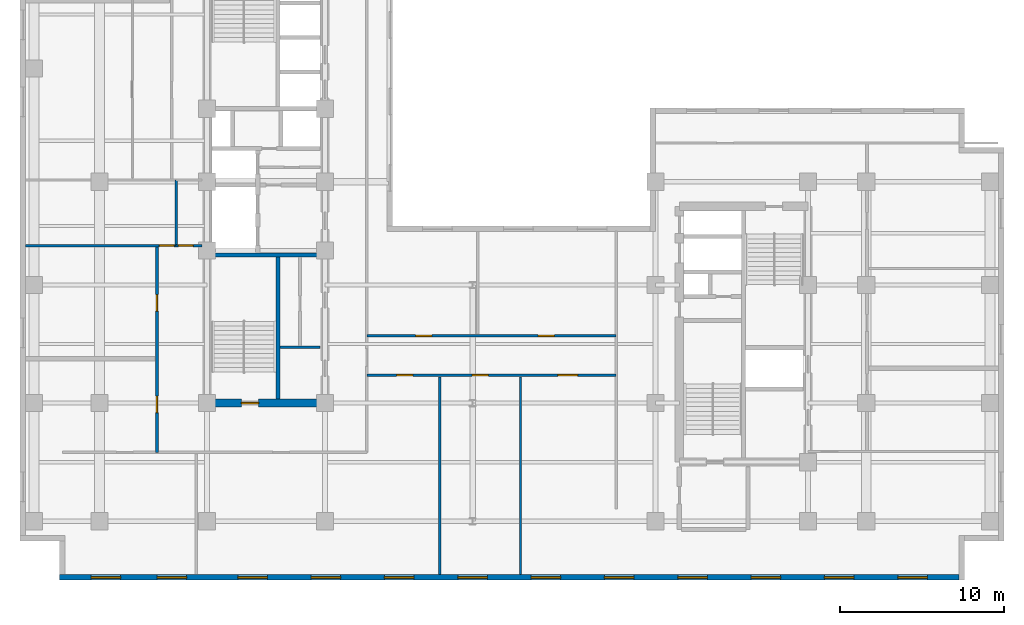
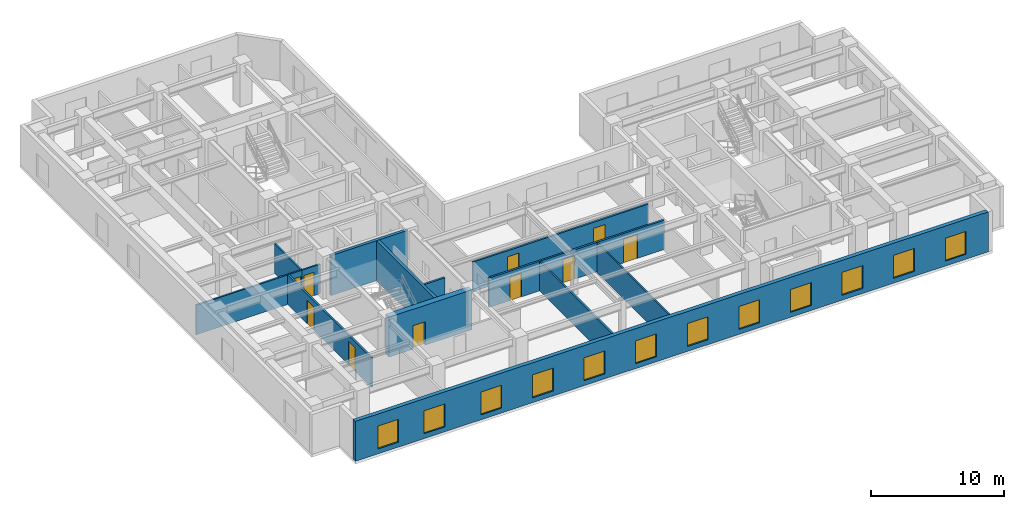
# One storey, part 3 of 10: 13 walls, 12 windows, 10 doors, 22 openings.
"""IFC4 building model written with IfcOpenShell, lengths in metres."""

from ifc_helpers import new_model, entity, si_unit, converted_unit, direction, frame, origin_with_axes, origin_2d_with_axis, place, context, subcontext, project, spatial, polyline, rectangle, outline, extrude, material, layer, layer_set, type_object, element, fill, save


model = new_model("IFC4")

# Units and contexts
model_context = context("Model", 3, precision=1e-05, world=origin_with_axes(), true_north=direction((0.0, 1.0)))
body_context = subcontext(model_context, "Body", "Model", "MODEL_VIEW")
ifc_project = project(units=[si_unit("LENGTHUNIT", "METRE"), si_unit("AREAUNIT", "SQUARE_METRE"), si_unit("VOLUMEUNIT", "CUBIC_METRE"), converted_unit("PLANEANGLEUNIT", "DEGREE", entity("IfcPlaneAngleMeasure", 0.017453292519943295), si_unit("PLANEANGLEUNIT", "RADIAN"), dimensions=[0, 0, 0, 0, 0, 0, 0]), si_unit("MASSUNIT", "GRAM", prefix="KILO"), si_unit("THERMODYNAMICTEMPERATUREUNIT", "KELVIN")], contexts=[model_context])

# Site, building, storey
site_placement = place(None, origin_with_axes())
site = spatial("IfcSite", under=ifc_project, at=site_placement, CompositionType="ELEMENT")
building_placement = place(site_placement, origin_with_axes())
building = spatial("IfcBuilding", under=site, at=building_placement, Name="Varnlund Millrace Tower", CompositionType="ELEMENT")
storey_placement = place(building_placement, frame((0.0, 0.0, 152.4), z_axis=(0.0, 0.0, 1.0), x_axis=(1.0, 0.0, 0.0)))
storey = spatial("IfcBuildingStorey", under=building, at=storey_placement, Name="L37", CompositionType="ELEMENT", Elevation=152.4)

# Wall, opening, door
ifc_material_1 = material(Name="Concrete C70/85", Category="concrete")
ifc_layer_1 = layer(ifc_material_1, 0.5, Name="Concrete C70/85")
ifc_layer_set_1 = layer_set([ifc_layer_1], Name="Concrete C70/85")
wall_type_1 = type_object("IfcWallType", Name="Type-CoreWall-Shear-500-C70", PredefinedType="SHEAR", material=ifc_layer_set_1)
wall_1_placement = place(storey_placement, frame((11.4, 10.8, 0.0), z_axis=(0.0, 0.0, 1.0), x_axis=(1.0, 0.0, 0.0)))
wall_1 = element("IfcWall", 1, at=wall_1_placement, inside=storey, type_object=wall_type_1, Name="Type-CoreWall-Shear-500-C70", PredefinedType="SHEAR", context=body_context, shape_type="SweptSolid", body=[
    extrude(outline(polyline([(0.0, -0.25), (7.2, -0.25), (7.2, 0.25), (0.0, 0.25), (0.0, -0.25)])), origin_with_axes(), (0.0, 0.0, 1.0), 3.66),
])
opening_1_placement = place(wall_1_placement, frame((2.625, 0.0, 0.0), z_axis=(0.0, 0.0, 1.0), x_axis=(1.0, 0.0, 0.0)))
opening_1 = element("IfcOpeningElement", 2, at=opening_1_placement, cuts=wall_1, Name="Opening L37:DR-STA1", PredefinedType="OPENING", context=body_context, shape_type="SweptSolid", body=[
    extrude(rectangle(XDim=1.05, YDim=0.52, at=origin_2d_with_axis()), origin_with_axes(), (0.0, 0.0, 1.0), 2.15),
])
ifc_material_2 = material(Name="Fire-rated hollow steel door", Category="steel")
door_type_1 = type_object("IfcDoorType", Name="Type-FireDoor-Stair-1050X2150", OperationType="NOTDEFINED", PredefinedType="DOOR", material=ifc_material_2)
door_1_placement = place(wall_1_placement, frame((2.625, 0.0, 0.0), z_axis=(0.0, 0.0, 1.0), x_axis=(1.0, 0.0, 0.0)))
door_1 = element("IfcDoor", 3, at=door_1_placement, inside=storey, type_object=door_type_1, Name="Type-FireDoor-Stair-1050X2150", OperationType="SINGLE_SWING_LEFT", OverallHeight=2.15, OverallWidth=1.05, PredefinedType="DOOR", context=body_context, shape_type="SweptSolid", body=[
    extrude(rectangle(XDim=1.05, YDim=0.09, at=origin_2d_with_axis()), origin_with_axes(), (0.0, 0.0, 1.0), 2.15),
])
fill(opening_1, door_1)

# Wall, openings, windows
ifc_material_3 = material(Name="Precast concrete C50/60", Category="concrete")
ifc_layer_2 = layer(ifc_material_3, 0.34, Name="Precast concrete C50/60")
ifc_layer_set_2 = layer_set([ifc_layer_2], Name="Precast concrete C50/60")
wall_type_2 = type_object("IfcWallType", Name="Type-ExtWall-Precast-Upper-340", PredefinedType="SOLIDWALL", material=ifc_layer_set_2)
wall_2_placement = place(storey_placement, frame((57.26, 0.17, 0.0), z_axis=(0.0, 0.0, 1.0), x_axis=(-1.0, 0.0, 0.0)))
wall_2 = element("IfcWall", 4, at=wall_2_placement, inside=storey, type_object=wall_type_2, Name="Type-ExtWall-Precast-Upper-340", PredefinedType="SOLIDWALL", context=body_context, shape_type="SweptSolid", body=[
    extrude(outline(polyline([(0.0, -0.17), (54.86, -0.17), (54.86, 0.17), (0.0, 0.17), (0.0, -0.17)])), origin_with_axes(), (0.0, 0.0, 1.0), 3.66),
])
opening_2_placement = place(wall_2_placement, frame((2.836, 0.0, 0.45), z_axis=(0.0, 0.0, 1.0), x_axis=(1.0, 0.0, 0.0)))
opening_2 = element("IfcOpeningElement", 5, at=opening_2_placement, cuts=wall_2, Name="Opening L37:WN-08", PredefinedType="OPENING", context=body_context, shape_type="SweptSolid", body=[
    extrude(rectangle(XDim=1.8, YDim=0.36, at=origin_2d_with_axis()), origin_with_axes(), (0.0, 0.0, 1.0), 2.1),
])
opening_3_placement = place(wall_2_placement, frame((7.307, 0.0, 0.45), z_axis=(0.0, 0.0, 1.0), x_axis=(1.0, 0.0, 0.0)))
opening_3 = element("IfcOpeningElement", 6, at=opening_3_placement, cuts=wall_2, Name="Opening L37:WN-09", PredefinedType="OPENING", context=body_context, shape_type="SweptSolid", body=[
    extrude(rectangle(XDim=1.8, YDim=0.36, at=origin_2d_with_axis()), origin_with_axes(), (0.0, 0.0, 1.0), 2.1),
])
opening_4_placement = place(wall_2_placement, frame((11.779, 0.0, 0.45), z_axis=(0.0, 0.0, 1.0), x_axis=(1.0, 0.0, 0.0)))
opening_4 = element("IfcOpeningElement", 7, at=opening_4_placement, cuts=wall_2, Name="Opening L37:WN-10", PredefinedType="OPENING", context=body_context, shape_type="SweptSolid", body=[
    extrude(rectangle(XDim=1.8, YDim=0.36, at=origin_2d_with_axis()), origin_with_axes(), (0.0, 0.0, 1.0), 2.1),
])
opening_5_placement = place(wall_2_placement, frame((16.251, 0.0, 0.45), z_axis=(0.0, 0.0, 1.0), x_axis=(1.0, 0.0, 0.0)))
opening_5 = element("IfcOpeningElement", 8, at=opening_5_placement, cuts=wall_2, Name="Opening L37:WN-11", PredefinedType="OPENING", context=body_context, shape_type="SweptSolid", body=[
    extrude(rectangle(XDim=1.8, YDim=0.36, at=origin_2d_with_axis()), origin_with_axes(), (0.0, 0.0, 1.0), 2.1),
])
opening_6_placement = place(wall_2_placement, frame((20.723, 0.0, 0.45), z_axis=(0.0, 0.0, 1.0), x_axis=(1.0, 0.0, 0.0)))
opening_6 = element("IfcOpeningElement", 9, at=opening_6_placement, cuts=wall_2, Name="Opening L37:WN-12", PredefinedType="OPENING", context=body_context, shape_type="SweptSolid", body=[
    extrude(rectangle(XDim=1.8, YDim=0.36, at=origin_2d_with_axis()), origin_with_axes(), (0.0, 0.0, 1.0), 2.1),
])
opening_7_placement = place(wall_2_placement, frame((25.194, 0.0, 0.45), z_axis=(0.0, 0.0, 1.0), x_axis=(1.0, 0.0, 0.0)))
opening_7 = element("IfcOpeningElement", 10, at=opening_7_placement, cuts=wall_2, Name="Opening L37:WN-13", PredefinedType="OPENING", context=body_context, shape_type="SweptSolid", body=[
    extrude(rectangle(XDim=1.8, YDim=0.36, at=origin_2d_with_axis()), origin_with_axes(), (0.0, 0.0, 1.0), 2.1),
])
opening_8_placement = place(wall_2_placement, frame((29.666, 0.0, 0.45), z_axis=(0.0, 0.0, 1.0), x_axis=(1.0, 0.0, 0.0)))
opening_8 = element("IfcOpeningElement", 11, at=opening_8_placement, cuts=wall_2, Name="Opening L37:WN-14", PredefinedType="OPENING", context=body_context, shape_type="SweptSolid", body=[
    extrude(rectangle(XDim=1.8, YDim=0.36, at=origin_2d_with_axis()), origin_with_axes(), (0.0, 0.0, 1.0), 2.1),
])
opening_9_placement = place(wall_2_placement, frame((34.138, 0.0, 0.45), z_axis=(0.0, 0.0, 1.0), x_axis=(1.0, 0.0, 0.0)))
opening_9 = element("IfcOpeningElement", 12, at=opening_9_placement, cuts=wall_2, Name="Opening L37:WN-15", PredefinedType="OPENING", context=body_context, shape_type="SweptSolid", body=[
    extrude(rectangle(XDim=1.8, YDim=0.36, at=origin_2d_with_axis()), origin_with_axes(), (0.0, 0.0, 1.0), 2.1),
])
opening_10_placement = place(wall_2_placement, frame((38.609, 0.0, 0.45), z_axis=(0.0, 0.0, 1.0), x_axis=(1.0, 0.0, 0.0)))
opening_10 = element("IfcOpeningElement", 13, at=opening_10_placement, cuts=wall_2, Name="Opening L37:WN-16", PredefinedType="OPENING", context=body_context, shape_type="SweptSolid", body=[
    extrude(rectangle(XDim=1.8, YDim=0.36, at=origin_2d_with_axis()), origin_with_axes(), (0.0, 0.0, 1.0), 2.1),
])
opening_11_placement = place(wall_2_placement, frame((43.081, 0.0, 0.45), z_axis=(0.0, 0.0, 1.0), x_axis=(1.0, 0.0, 0.0)))
opening_11 = element("IfcOpeningElement", 14, at=opening_11_placement, cuts=wall_2, Name="Opening L37:WN-17", PredefinedType="OPENING", context=body_context, shape_type="SweptSolid", body=[
    extrude(rectangle(XDim=1.8, YDim=0.36, at=origin_2d_with_axis()), origin_with_axes(), (0.0, 0.0, 1.0), 2.1),
])
opening_12_placement = place(wall_2_placement, frame((48.003, 0.0, 0.45), z_axis=(0.0, 0.0, 1.0), x_axis=(1.0, 0.0, 0.0)))
opening_12 = element("IfcOpeningElement", 15, at=opening_12_placement, cuts=wall_2, Name="Opening L37:WN-18", PredefinedType="OPENING", context=body_context, shape_type="SweptSolid", body=[
    extrude(rectangle(XDim=1.8, YDim=0.36, at=origin_2d_with_axis()), origin_with_axes(), (0.0, 0.0, 1.0), 2.1),
])
opening_13_placement = place(wall_2_placement, frame((52.024, 0.0, 0.45), z_axis=(0.0, 0.0, 1.0), x_axis=(1.0, 0.0, 0.0)))
opening_13 = element("IfcOpeningElement", 16, at=opening_13_placement, cuts=wall_2, Name="Opening L37:WN-19", PredefinedType="OPENING", context=body_context, shape_type="SweptSolid", body=[
    extrude(rectangle(XDim=1.8, YDim=0.36, at=origin_2d_with_axis()), origin_with_axes(), (0.0, 0.0, 1.0), 2.1),
])
ifc_material_4 = material(Name="Argon low-e triple glazing in thermally broken bronze frame", Category="glass")
window_type = type_object("IfcWindowType", Name="Type-Window-Punched-1800X2100", PartitioningType="SINGLE_PANEL", PredefinedType="WINDOW", material=ifc_material_4)
window_1_placement = place(wall_2_placement, frame((2.836, 0.0, 0.45), z_axis=(0.0, 0.0, 1.0), x_axis=(1.0, 0.0, 0.0)))
window_1 = element("IfcWindow", 17, at=window_1_placement, inside=storey, type_object=window_type, Name="Type-Window-Punched-1800X2100", OverallHeight=2.1, OverallWidth=1.8, PredefinedType="WINDOW", context=body_context, shape_type="SweptSolid", body=[
    extrude(rectangle(XDim=1.8, YDim=0.09, at=origin_2d_with_axis()), origin_with_axes(), (0.0, 0.0, 1.0), 2.1),
])
fill(opening_2, window_1)
window_2_placement = place(wall_2_placement, frame((7.307, 0.0, 0.45), z_axis=(0.0, 0.0, 1.0), x_axis=(1.0, 0.0, 0.0)))
window_2 = element("IfcWindow", 18, at=window_2_placement, inside=storey, type_object=window_type, Name="Type-Window-Punched-1800X2100", OverallHeight=2.1, OverallWidth=1.8, PredefinedType="WINDOW", context=body_context, shape_type="SweptSolid", body=[
    extrude(rectangle(XDim=1.8, YDim=0.09, at=origin_2d_with_axis()), origin_with_axes(), (0.0, 0.0, 1.0), 2.1),
])
fill(opening_3, window_2)
window_3_placement = place(wall_2_placement, frame((11.779, 0.0, 0.45), z_axis=(0.0, 0.0, 1.0), x_axis=(1.0, 0.0, 0.0)))
window_3 = element("IfcWindow", 19, at=window_3_placement, inside=storey, type_object=window_type, Name="Type-Window-Punched-1800X2100", OverallHeight=2.1, OverallWidth=1.8, PredefinedType="WINDOW", context=body_context, shape_type="SweptSolid", body=[
    extrude(rectangle(XDim=1.8, YDim=0.09, at=origin_2d_with_axis()), origin_with_axes(), (0.0, 0.0, 1.0), 2.1),
])
fill(opening_4, window_3)
window_4_placement = place(wall_2_placement, frame((16.251, 0.0, 0.45), z_axis=(0.0, 0.0, 1.0), x_axis=(1.0, 0.0, 0.0)))
window_4 = element("IfcWindow", 20, at=window_4_placement, inside=storey, type_object=window_type, Name="Type-Window-Punched-1800X2100", OverallHeight=2.1, OverallWidth=1.8, PredefinedType="WINDOW", context=body_context, shape_type="SweptSolid", body=[
    extrude(rectangle(XDim=1.8, YDim=0.09, at=origin_2d_with_axis()), origin_with_axes(), (0.0, 0.0, 1.0), 2.1),
])
fill(opening_5, window_4)
window_5_placement = place(wall_2_placement, frame((20.723, 0.0, 0.45), z_axis=(0.0, 0.0, 1.0), x_axis=(1.0, 0.0, 0.0)))
window_5 = element("IfcWindow", 21, at=window_5_placement, inside=storey, type_object=window_type, Name="Type-Window-Punched-1800X2100", OverallHeight=2.1, OverallWidth=1.8, PredefinedType="WINDOW", context=body_context, shape_type="SweptSolid", body=[
    extrude(rectangle(XDim=1.8, YDim=0.09, at=origin_2d_with_axis()), origin_with_axes(), (0.0, 0.0, 1.0), 2.1),
])
fill(opening_6, window_5)
window_6_placement = place(wall_2_placement, frame((25.194, 0.0, 0.45), z_axis=(0.0, 0.0, 1.0), x_axis=(1.0, 0.0, 0.0)))
window_6 = element("IfcWindow", 22, at=window_6_placement, inside=storey, type_object=window_type, Name="Type-Window-Punched-1800X2100", OverallHeight=2.1, OverallWidth=1.8, PredefinedType="WINDOW", context=body_context, shape_type="SweptSolid", body=[
    extrude(rectangle(XDim=1.8, YDim=0.09, at=origin_2d_with_axis()), origin_with_axes(), (0.0, 0.0, 1.0), 2.1),
])
fill(opening_7, window_6)
window_7_placement = place(wall_2_placement, frame((29.666, 0.0, 0.45), z_axis=(0.0, 0.0, 1.0), x_axis=(1.0, 0.0, 0.0)))
window_7 = element("IfcWindow", 23, at=window_7_placement, inside=storey, type_object=window_type, Name="Type-Window-Punched-1800X2100", OverallHeight=2.1, OverallWidth=1.8, PredefinedType="WINDOW", context=body_context, shape_type="SweptSolid", body=[
    extrude(rectangle(XDim=1.8, YDim=0.09, at=origin_2d_with_axis()), origin_with_axes(), (0.0, 0.0, 1.0), 2.1),
])
fill(opening_8, window_7)
window_8_placement = place(wall_2_placement, frame((34.138, 0.0, 0.45), z_axis=(0.0, 0.0, 1.0), x_axis=(1.0, 0.0, 0.0)))
window_8 = element("IfcWindow", 24, at=window_8_placement, inside=storey, type_object=window_type, Name="Type-Window-Punched-1800X2100", OverallHeight=2.1, OverallWidth=1.8, PredefinedType="WINDOW", context=body_context, shape_type="SweptSolid", body=[
    extrude(rectangle(XDim=1.8, YDim=0.09, at=origin_2d_with_axis()), origin_with_axes(), (0.0, 0.0, 1.0), 2.1),
])
fill(opening_9, window_8)
window_9_placement = place(wall_2_placement, frame((38.609, 0.0, 0.45), z_axis=(0.0, 0.0, 1.0), x_axis=(1.0, 0.0, 0.0)))
window_9 = element("IfcWindow", 25, at=window_9_placement, inside=storey, type_object=window_type, Name="Type-Window-Punched-1800X2100", OverallHeight=2.1, OverallWidth=1.8, PredefinedType="WINDOW", context=body_context, shape_type="SweptSolid", body=[
    extrude(rectangle(XDim=1.8, YDim=0.09, at=origin_2d_with_axis()), origin_with_axes(), (0.0, 0.0, 1.0), 2.1),
])
fill(opening_10, window_9)
window_10_placement = place(wall_2_placement, frame((43.081, 0.0, 0.45), z_axis=(0.0, 0.0, 1.0), x_axis=(1.0, 0.0, 0.0)))
window_10 = element("IfcWindow", 26, at=window_10_placement, inside=storey, type_object=window_type, Name="Type-Window-Punched-1800X2100", OverallHeight=2.1, OverallWidth=1.8, PredefinedType="WINDOW", context=body_context, shape_type="SweptSolid", body=[
    extrude(rectangle(XDim=1.8, YDim=0.09, at=origin_2d_with_axis()), origin_with_axes(), (0.0, 0.0, 1.0), 2.1),
])
fill(opening_11, window_10)
window_11_placement = place(wall_2_placement, frame((48.003, 0.0, 0.45), z_axis=(0.0, 0.0, 1.0), x_axis=(1.0, 0.0, 0.0)))
window_11 = element("IfcWindow", 27, at=window_11_placement, inside=storey, type_object=window_type, Name="Type-Window-Punched-1800X2100", OverallHeight=2.1, OverallWidth=1.8, PredefinedType="WINDOW", context=body_context, shape_type="SweptSolid", body=[
    extrude(rectangle(XDim=1.8, YDim=0.09, at=origin_2d_with_axis()), origin_with_axes(), (0.0, 0.0, 1.0), 2.1),
])
fill(opening_12, window_11)
window_12_placement = place(wall_2_placement, frame((52.024, 0.0, 0.45), z_axis=(0.0, 0.0, 1.0), x_axis=(1.0, 0.0, 0.0)))
window_12 = element("IfcWindow", 28, at=window_12_placement, inside=storey, type_object=window_type, Name="Type-Window-Punched-1800X2100", OverallHeight=2.1, OverallWidth=1.8, PredefinedType="WINDOW", context=body_context, shape_type="SweptSolid", body=[
    extrude(rectangle(XDim=1.8, YDim=0.09, at=origin_2d_with_axis()), origin_with_axes(), (0.0, 0.0, 1.0), 2.1),
])
fill(opening_13, window_12)

# Wall
ifc_material_5 = material(Name="Fire-rated gypsum board on cold-formed steel framing", Category="steel")
ifc_layer_3 = layer(ifc_material_5, 0.16, Name="Fire-rated gypsum board on cold-formed steel framing")
ifc_layer_set_3 = layer_set([ifc_layer_3], Name="Fire-rated gypsum board on cold-formed steel framing")
wall_type_3 = type_object("IfcWallType", Name="Type-Partition-Corridor-160", PredefinedType="PARTITIONING", material=ifc_layer_set_3)
wall_3_placement = place(storey_placement, frame((15.84, 14.2, 0.0), z_axis=(0.0, 0.0, 1.0), x_axis=(1.0, 0.0, 0.0)))
element("IfcWall", 29, at=wall_3_placement, inside=storey, type_object=wall_type_3, Name="Type-Partition-Corridor-160", PredefinedType="PARTITIONING", context=body_context, shape_type="SweptSolid", body=[
    extrude(outline(polyline([(0.0, -0.08), (2.46, -0.08), (2.46, 0.08), (0.0, 0.08), (0.0, -0.08)])), origin_with_axes(), (0.0, 0.0, 1.0), 2.7),
])

# Wall, openings, doors
wall_4_placement = place(storey_placement, frame((8.35, 7.8, 0.0), z_axis=(0.0, 0.0, 1.0), x_axis=(0.0, 1.0, 0.0)))
wall_4 = element("IfcWall", 30, at=wall_4_placement, inside=storey, type_object=wall_type_3, Name="Type-Partition-Corridor-160", PredefinedType="PARTITIONING", context=body_context, shape_type="SweptSolid", body=[
    extrude(outline(polyline([(0.0, -0.08), (12.6, -0.08), (12.6, 0.08), (0.0, 0.08), (0.0, -0.08)])), origin_with_axes(), (0.0, 0.0, 1.0), 2.7),
])
opening_14_placement = place(wall_4_placement, frame((2.92, 0.0, 0.0), z_axis=(0.0, 0.0, 1.0), x_axis=(1.0, 0.0, 0.0)))
opening_14 = element("IfcOpeningElement", 31, at=opening_14_placement, cuts=wall_4, Name="Opening L37:DR-WS-01", PredefinedType="OPENING", context=body_context, shape_type="SweptSolid", body=[
    extrude(rectangle(XDim=1.0, YDim=0.18, at=origin_2d_with_axis()), origin_with_axes(), (0.0, 0.0, 1.0), 2.15),
])
opening_15_placement = place(wall_4_placement, frame((9.115, 0.0, 0.0), z_axis=(0.0, 0.0, 1.0), x_axis=(1.0, 0.0, 0.0)))
opening_15 = element("IfcOpeningElement", 32, at=opening_15_placement, cuts=wall_4, Name="Opening L37:DR-WS-02", PredefinedType="OPENING", context=body_context, shape_type="SweptSolid", body=[
    extrude(rectangle(XDim=1.0, YDim=0.18, at=origin_2d_with_axis()), origin_with_axes(), (0.0, 0.0, 1.0), 2.15),
])
ifc_material_6 = material(Name="Solid-core white oak and bronze frame door")
door_type_2 = type_object("IfcDoorType", Name="Type-IntDoor-Office-1000X2150", OperationType="NOTDEFINED", PredefinedType="DOOR", material=ifc_material_6)
door_2_placement = place(wall_4_placement, frame((2.92, 0.0, 0.0), z_axis=(0.0, 0.0, 1.0), x_axis=(1.0, 0.0, 0.0)))
door_2 = element("IfcDoor", 33, at=door_2_placement, inside=storey, type_object=door_type_2, Name="Type-IntDoor-Office-1000X2150", OperationType="SINGLE_SWING_LEFT", OverallHeight=2.15, OverallWidth=1.0, PredefinedType="DOOR", context=body_context, shape_type="SweptSolid", body=[
    extrude(rectangle(XDim=1.0, YDim=0.09, at=origin_2d_with_axis()), origin_with_axes(), (0.0, 0.0, 1.0), 2.15),
])
fill(opening_14, door_2)
door_3_placement = place(wall_4_placement, frame((9.115, 0.0, 0.0), z_axis=(0.0, 0.0, 1.0), x_axis=(1.0, 0.0, 0.0)))
door_3 = element("IfcDoor", 34, at=door_3_placement, inside=storey, type_object=door_type_2, Name="Type-IntDoor-Office-1000X2150", OperationType="SINGLE_SWING_RIGHT", OverallHeight=2.15, OverallWidth=1.0, PredefinedType="DOOR", context=body_context, shape_type="SweptSolid", body=[
    extrude(rectangle(XDim=1.0, YDim=0.09, at=origin_2d_with_axis()), origin_with_axes(), (0.0, 0.0, 1.0), 2.15),
])
fill(opening_15, door_3)

wall_5_placement = place(storey_placement, frame((21.15, 12.5, 0.0), z_axis=(0.0, 0.0, 1.0), x_axis=(1.0, 0.0, 0.0)))
wall_5 = element("IfcWall", 35, at=wall_5_placement, inside=storey, type_object=wall_type_3, Name="Type-Partition-Corridor-160", PredefinedType="PARTITIONING", context=body_context, shape_type="SweptSolid", body=[
    extrude(outline(polyline([(0.0, -0.08), (15.2, -0.08), (15.2, 0.08), (0.0, 0.08), (0.0, -0.08)])), origin_with_axes(), (0.0, 0.0, 1.0), 2.7),
])
opening_16_placement = place(wall_5_placement, frame((2.313, 0.0, 0.0), z_axis=(0.0, 0.0, 1.0), x_axis=(1.0, 0.0, 0.0)))
opening_16 = element("IfcOpeningElement", 36, at=opening_16_placement, cuts=wall_5, Name="Opening L37:DR-KNS-01", PredefinedType="OPENING", context=body_context, shape_type="SweptSolid", body=[
    extrude(rectangle(XDim=1.0, YDim=0.18, at=origin_2d_with_axis()), origin_with_axes(), (0.0, 0.0, 1.0), 2.15),
])
opening_17_placement = place(wall_5_placement, frame((6.9115, 0.0, 0.0), z_axis=(0.0, 0.0, 1.0), x_axis=(1.0, 0.0, 0.0)))
opening_17 = element("IfcOpeningElement", 37, at=opening_17_placement, cuts=wall_5, Name="Opening L37:DR-KNS-02", PredefinedType="OPENING", context=body_context, shape_type="SweptSolid", body=[
    extrude(rectangle(XDim=1.0, YDim=0.18, at=origin_2d_with_axis()), origin_with_axes(), (0.0, 0.0, 1.0), 2.15),
])
opening_18_placement = place(wall_5_placement, frame((12.2485, 0.0, 0.0), z_axis=(0.0, 0.0, 1.0), x_axis=(1.0, 0.0, 0.0)))
opening_18 = element("IfcOpeningElement", 38, at=opening_18_placement, cuts=wall_5, Name="Opening L37:DR-KNS-03", PredefinedType="OPENING", context=body_context, shape_type="SweptSolid", body=[
    extrude(rectangle(XDim=1.2, YDim=0.18, at=origin_2d_with_axis()), origin_with_axes(), (0.0, 0.0, 1.0), 2.2),
])
ifc_material_7 = material(Name="Wide executive white oak acoustic door")
door_type_3 = type_object("IfcDoorType", Name="Type-IntDoor-Exec-1200X2200", OperationType="NOTDEFINED", PredefinedType="DOOR", material=ifc_material_7)
door_4_placement = place(wall_5_placement, frame((12.2485, 0.0, 0.0), z_axis=(0.0, 0.0, 1.0), x_axis=(1.0, 0.0, 0.0)))
door_4 = element("IfcDoor", 39, at=door_4_placement, inside=storey, type_object=door_type_3, Name="Type-IntDoor-Exec-1200X2200", OperationType="SINGLE_SWING_LEFT", OverallHeight=2.2, OverallWidth=1.2, PredefinedType="DOOR", context=body_context, shape_type="SweptSolid", body=[
    extrude(rectangle(XDim=1.2, YDim=0.09, at=origin_2d_with_axis()), origin_with_axes(), (0.0, 0.0, 1.0), 2.2),
])
fill(opening_18, door_4)
door_5_placement = place(wall_5_placement, frame((2.313, 0.0, 0.0), z_axis=(0.0, 0.0, 1.0), x_axis=(1.0, 0.0, 0.0)))
door_5 = element("IfcDoor", 40, at=door_5_placement, inside=storey, type_object=door_type_2, Name="Type-IntDoor-Office-1000X2150", OperationType="SINGLE_SWING_LEFT", OverallHeight=2.15, OverallWidth=1.0, PredefinedType="DOOR", context=body_context, shape_type="SweptSolid", body=[
    extrude(rectangle(XDim=1.0, YDim=0.09, at=origin_2d_with_axis()), origin_with_axes(), (0.0, 0.0, 1.0), 2.15),
])
fill(opening_16, door_5)
door_6_placement = place(wall_5_placement, frame((6.9115, 0.0, 0.0), z_axis=(0.0, 0.0, 1.0), x_axis=(1.0, 0.0, 0.0)))
door_6 = element("IfcDoor", 41, at=door_6_placement, inside=storey, type_object=door_type_2, Name="Type-IntDoor-Office-1000X2150", OperationType="SINGLE_SWING_RIGHT", OverallHeight=2.15, OverallWidth=1.0, PredefinedType="DOOR", context=body_context, shape_type="SweptSolid", body=[
    extrude(rectangle(XDim=1.0, YDim=0.09, at=origin_2d_with_axis()), origin_with_axes(), (0.0, 0.0, 1.0), 2.15),
])
fill(opening_17, door_6)

wall_6_placement = place(storey_placement, frame((21.15, 14.9, 0.0), z_axis=(0.0, 0.0, 1.0), x_axis=(1.0, 0.0, 0.0)))
wall_6 = element("IfcWall", 42, at=wall_6_placement, inside=storey, type_object=wall_type_3, Name="Type-Partition-Corridor-160", PredefinedType="PARTITIONING", context=body_context, shape_type="SweptSolid", body=[
    extrude(outline(polyline([(0.0, -0.08), (15.2, -0.08), (15.2, 0.08), (0.0, 0.08), (0.0, -0.08)])), origin_with_axes(), (0.0, 0.0, 1.0), 2.7),
])
opening_19_placement = place(wall_6_placement, frame((3.4695, 0.0, 0.0), z_axis=(0.0, 0.0, 1.0), x_axis=(1.0, 0.0, 0.0)))
opening_19 = element("IfcOpeningElement", 43, at=opening_19_placement, cuts=wall_6, Name="Opening L37:DR-KN-01", PredefinedType="OPENING", context=body_context, shape_type="SweptSolid", body=[
    extrude(rectangle(XDim=1.0, YDim=0.18, at=origin_2d_with_axis()), origin_with_axes(), (0.0, 0.0, 1.0), 2.15),
])
opening_20_placement = place(wall_6_placement, frame((10.9395, 0.0, 0.0), z_axis=(0.0, 0.0, 1.0), x_axis=(1.0, 0.0, 0.0)))
opening_20 = element("IfcOpeningElement", 44, at=opening_20_placement, cuts=wall_6, Name="Opening L37:DR-KN-02", PredefinedType="OPENING", context=body_context, shape_type="SweptSolid", body=[
    extrude(rectangle(XDim=1.0, YDim=0.18, at=origin_2d_with_axis()), origin_with_axes(), (0.0, 0.0, 1.0), 2.15),
])
door_7_placement = place(wall_6_placement, frame((3.4695, 0.0, 0.0), z_axis=(0.0, 0.0, 1.0), x_axis=(1.0, 0.0, 0.0)))
door_7 = element("IfcDoor", 45, at=door_7_placement, inside=storey, type_object=door_type_2, Name="Type-IntDoor-Office-1000X2150", OperationType="SINGLE_SWING_LEFT", OverallHeight=2.15, OverallWidth=1.0, PredefinedType="DOOR", context=body_context, shape_type="SweptSolid", body=[
    extrude(rectangle(XDim=1.0, YDim=0.09, at=origin_2d_with_axis()), origin_with_axes(), (0.0, 0.0, 1.0), 2.15),
])
fill(opening_19, door_7)
door_8_placement = place(wall_6_placement, frame((10.9395, 0.0, 0.0), z_axis=(0.0, 0.0, 1.0), x_axis=(1.0, 0.0, 0.0)))
door_8 = element("IfcDoor", 46, at=door_8_placement, inside=storey, type_object=door_type_2, Name="Type-IntDoor-Office-1000X2150", OperationType="SINGLE_SWING_RIGHT", OverallHeight=2.15, OverallWidth=1.0, PredefinedType="DOOR", context=body_context, shape_type="SweptSolid", body=[
    extrude(rectangle(XDim=1.0, YDim=0.09, at=origin_2d_with_axis()), origin_with_axes(), (0.0, 0.0, 1.0), 2.15),
])
fill(opening_20, door_8)

# Walls
ifc_material_8 = material(Name="Acoustic STC-50 gypsum board partition", Category="gypsum")
ifc_layer_4 = layer(ifc_material_8, 0.15, Name="Acoustic STC-50 gypsum board partition")
ifc_layer_set_4 = layer_set([ifc_layer_4], Name="Acoustic STC-50 gypsum board partition")
wall_type_4 = type_object("IfcWallType", Name="Type-Partition-Demising-150", PredefinedType="PARTITIONING", material=ifc_layer_set_4)
wall_7_placement = place(storey_placement, frame((25.596, 0.335, 0.0), z_axis=(0.0, 0.0, 1.0), x_axis=(0.0, 1.0, 0.0)))
element("IfcWall", 47, at=wall_7_placement, inside=storey, type_object=wall_type_4, Name="Type-Partition-Demising-150", PredefinedType="PARTITIONING", context=body_context, shape_type="SweptSolid", body=[
    extrude(outline(polyline([(0.0, -0.075), (12.045, -0.075), (12.045, 0.075), (0.0, 0.075), (0.0, -0.075)])), origin_with_axes(), (0.0, 0.0, 1.0), 2.7),
])
ifc_material_9 = material(Name="Gypsum board tenant partition", Category="gypsum")
ifc_layer_5 = layer(ifc_material_9, 0.125, Name="Gypsum board tenant partition")
ifc_layer_set_5 = layer_set([ifc_layer_5], Name="Gypsum board tenant partition")
wall_type_5 = type_object("IfcWallType", Name="Type-Partition-Tenant-125", PredefinedType="PARTITIONING", material=ifc_layer_set_5)
wall_8_placement = place(storey_placement, frame((30.527, 0.335, 0.0), z_axis=(0.0, 0.0, 1.0), x_axis=(0.0, 1.0, 0.0)))
element("IfcWall", 48, at=wall_8_placement, inside=storey, type_object=wall_type_5, Name="Type-Partition-Tenant-125", PredefinedType="PARTITIONING", context=body_context, shape_type="SweptSolid", body=[
    extrude(outline(polyline([(0.0, -0.0625), (12.045, -0.0625), (12.045, 0.0625), (0.0, 0.0625), (0.0, -0.0625)])), origin_with_axes(), (0.0, 0.0, 1.0), 2.7),
])
ifc_material_10 = material(Name="Moisture-resistant gypsum restroom partition", Category="gypsum")
ifc_layer_6 = layer(ifc_material_10, 0.14, Name="Moisture-resistant gypsum restroom partition")
ifc_layer_set_6 = layer_set([ifc_layer_6], Name="Moisture-resistant gypsum restroom partition")
wall_type_6 = type_object("IfcWallType", Name="Type-Partition-Wet-140", PredefinedType="PARTITIONING", material=ifc_layer_set_6)
wall_9_placement = place(storey_placement, frame((9.52, 20.4, 0.0), z_axis=(0.0, 0.0, 1.0), x_axis=(0.0, 1.0, 0.0)))
element("IfcWall", 49, at=wall_9_placement, inside=storey, type_object=wall_type_6, Name="Type-Partition-Wet-140", PredefinedType="PARTITIONING", context=body_context, shape_type="SweptSolid", body=[
    extrude(outline(polyline([(0.0, -0.07), (4.0, -0.07), (4.0, 0.07), (0.0, 0.07), (0.0, -0.07)])), origin_with_axes(), (0.0, 0.0, 1.0), 2.7),
])

# Wall, opening, door
wall_10_placement = place(storey_placement, frame((9.52, 20.4, 0.0), z_axis=(0.0, 0.0, 1.0), x_axis=(1.0, 0.0, 0.0)))
wall_10 = element("IfcWall", 50, at=wall_10_placement, inside=storey, type_object=wall_type_6, Name="Type-Partition-Wet-140", PredefinedType="PARTITIONING", context=body_context, shape_type="SweptSolid", body=[
    extrude(outline(polyline([(0.0, -0.07), (1.58, -0.07), (1.58, 0.07), (0.0, 0.07), (0.0, -0.07)])), origin_with_axes(), (0.0, 0.0, 1.0), 2.7),
])
opening_21_placement = place(wall_10_placement, frame((0.59, 0.0, 0.0), z_axis=(0.0, 0.0, 1.0), x_axis=(1.0, 0.0, 0.0)))
opening_21 = element("IfcOpeningElement", 51, at=opening_21_placement, cuts=wall_10, Name="Opening L37:DR-CA-WCW", PredefinedType="OPENING", context=body_context, shape_type="SweptSolid", body=[
    extrude(rectangle(XDim=0.9, YDim=0.16, at=origin_2d_with_axis()), origin_with_axes(), (0.0, 0.0, 1.0), 2.15),
])
ifc_material_11 = material(Name="Painted steel riser and closet door", Category="steel")
door_type_4 = type_object("IfcDoorType", Name="Type-IntDoor-Closet-900X2150", OperationType="NOTDEFINED", PredefinedType="DOOR", material=ifc_material_11)
door_9_placement = place(wall_10_placement, frame((0.59, 0.0, 0.0), z_axis=(0.0, 0.0, 1.0), x_axis=(1.0, 0.0, 0.0)))
door_9 = element("IfcDoor", 52, at=door_9_placement, inside=storey, type_object=door_type_4, Name="Type-IntDoor-Closet-900X2150", OperationType="SINGLE_SWING_LEFT", OverallHeight=2.15, OverallWidth=0.9, PredefinedType="DOOR", context=body_context, shape_type="SweptSolid", body=[
    extrude(rectangle(XDim=0.9, YDim=0.084, at=origin_2d_with_axis()), origin_with_axes(), (0.0, 0.0, 1.0), 2.15),
])
fill(opening_21, door_9)

wall_11_placement = place(storey_placement, frame((0.335, 20.4, 0.0), z_axis=(0.0, 0.0, 1.0), x_axis=(1.0, 0.0, 0.0)))
wall_11 = element("IfcWall", 53, at=wall_11_placement, inside=storey, type_object=wall_type_6, Name="Type-Partition-Wet-140", PredefinedType="PARTITIONING", context=body_context, shape_type="SweptSolid", body=[
    extrude(outline(polyline([(0.0, -0.07), (9.185, -0.07), (9.185, 0.07), (0.0, 0.07), (0.0, -0.07)])), origin_with_axes(), (0.0, 0.0, 1.0), 2.7),
])
opening_22_placement = place(wall_11_placement, frame((8.615, 0.0, 0.0), z_axis=(0.0, 0.0, 1.0), x_axis=(1.0, 0.0, 0.0)))
opening_22 = element("IfcOpeningElement", 54, at=opening_22_placement, cuts=wall_11, Name="Opening L37:DR-W-MIDR", PredefinedType="OPENING", context=body_context, shape_type="SweptSolid", body=[
    extrude(rectangle(XDim=0.9, YDim=0.16, at=origin_2d_with_axis()), origin_with_axes(), (0.0, 0.0, 1.0), 2.15),
])
door_10_placement = place(wall_11_placement, frame((8.615, 0.0, 0.0), z_axis=(0.0, 0.0, 1.0), x_axis=(1.0, 0.0, 0.0)))
door_10 = element("IfcDoor", 55, at=door_10_placement, inside=storey, type_object=door_type_4, Name="Type-IntDoor-Closet-900X2150", OperationType="SINGLE_SWING_LEFT", OverallHeight=2.15, OverallWidth=0.9, PredefinedType="DOOR", context=body_context, shape_type="SweptSolid", body=[
    extrude(rectangle(XDim=0.9, YDim=0.084, at=origin_2d_with_axis()), origin_with_axes(), (0.0, 0.0, 1.0), 2.15),
])
fill(opening_22, door_10)

# Walls
ifc_material_12 = material(Name="Concrete C60/75", Category="concrete")
ifc_layer_7 = layer(ifc_material_12, 0.25, Name="Concrete C60/75")
ifc_layer_set_7 = layer_set([ifc_layer_7], Name="Concrete C60/75")
wall_type_7 = type_object("IfcWallType", Name="Type-StairWall-Shear-250", PredefinedType="SHEAR", material=ifc_layer_set_7)
wall_12_placement = place(storey_placement, frame((15.725, 11.05, 0.0), z_axis=(0.0, 0.0, 1.0), x_axis=(0.0, 1.0, 0.0)))
element("IfcWall", 56, at=wall_12_placement, inside=storey, type_object=wall_type_7, Name="Type-StairWall-Shear-250", PredefinedType="SHEAR", context=body_context, shape_type="SweptSolid", body=[
    extrude(outline(polyline([(0.0, -0.125), (8.65, -0.125), (8.65, 0.125), (0.0, 0.125), (0.0, -0.125)])), origin_with_axes(), (0.0, 0.0, 1.0), 3.66),
])
wall_13_placement = place(storey_placement, frame((11.65, 19.825, 0.0), z_axis=(0.0, 0.0, 1.0), x_axis=(1.0, 0.0, 0.0)))
element("IfcWall", 57, at=wall_13_placement, inside=storey, type_object=wall_type_7, Name="Type-StairWall-Shear-250", PredefinedType="SHEAR", context=body_context, shape_type="SweptSolid", body=[
    extrude(outline(polyline([(0.0, -0.125), (6.7, -0.125), (6.7, 0.125), (0.0, 0.125), (0.0, -0.125)])), origin_with_axes(), (0.0, 0.0, 1.0), 3.66),
])

save(model, "model.ifc")
